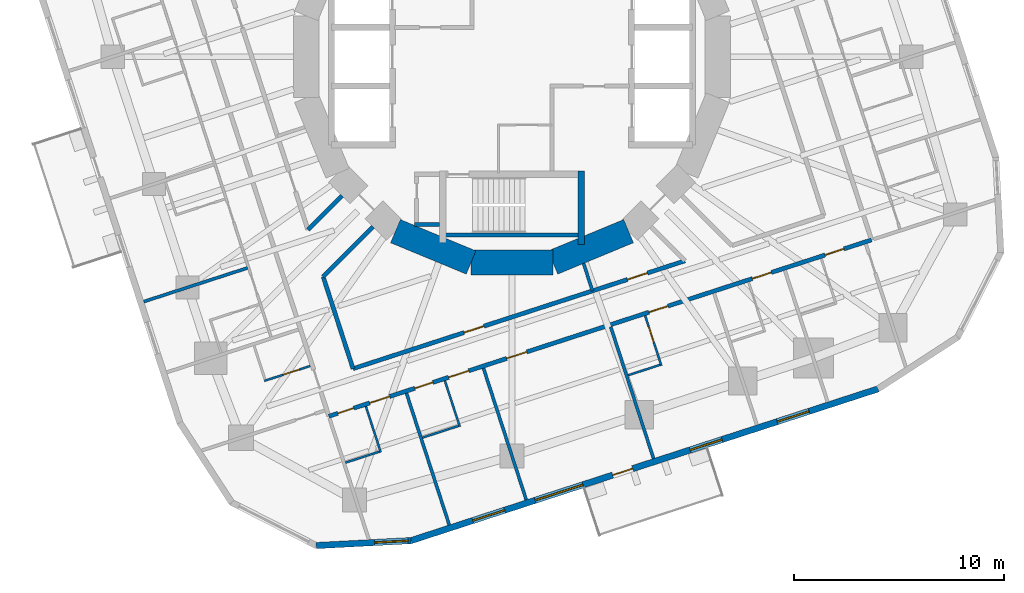
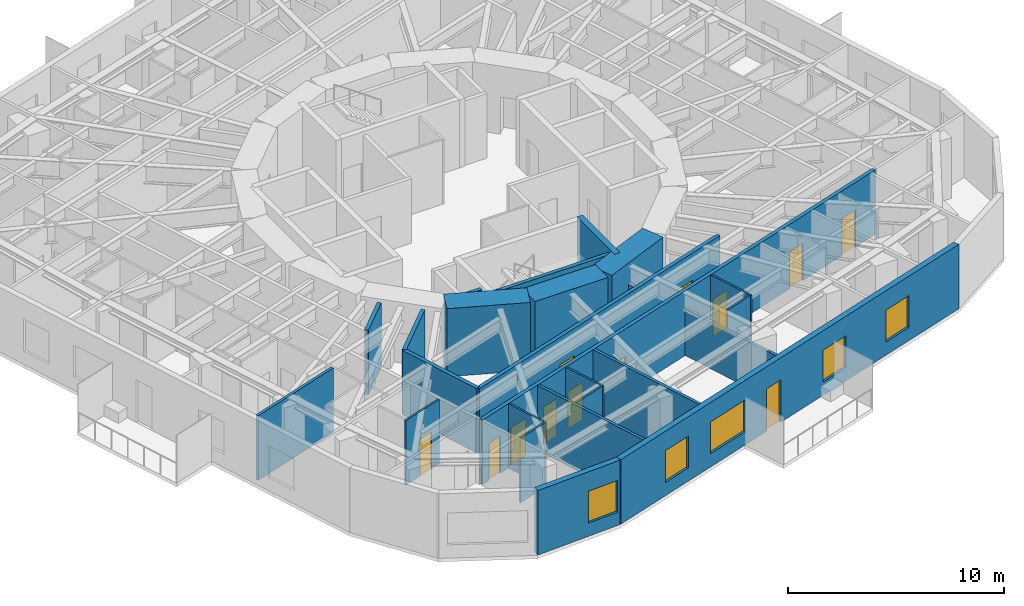
# One storey, part 4 of 12: 25 walls, 13 doors, 5 windows, 18 openings.
"""IFC4 building model written with IfcOpenShell, lengths in metres."""

import ifcopenshell
import ifcopenshell.guid

model = None  # the IFC model being written
_history = None  # IfcOwnerHistory: only IFC2X3 demands one
_inside = {}  # id of a spatial element -> (the spatial element, [elements in it])
_under = {}  # id of a project, library or spatial element -> (it, [spatial elements below it])
_declared = {}  # id of a project -> (the project, [libraries it declares])
_typed = {}  # id of a type object -> (the type object, [elements of that type])
_made_of = {}  # id of a material, layer set ... -> (it, [elements and type objects made of it])


def new_model(schema):
    """Start an empty IFC model of exactly this schema.

    Asked for "IFC4X3", IfcOpenShell would pick the latest addendum, in which some entities
    have other attributes; the version numbers below select the first issue.
    IFC2X3 requires an IfcOwnerHistory on every rooted entity: one is made here for all.
    """
    global model, _history
    if schema == "IFC4X3":
        model = ifcopenshell.file(schema_version=(4, 3, 0, 0))
    else:
        model = ifcopenshell.file(schema=schema)
    _inside.clear()
    _under.clear()
    _declared.clear()
    _typed.clear()
    _made_of.clear()
    _history = None
    if model.schema == "IFC2X3":
        org = make("IfcOrganization", Name="unknown")
        user = make(
            "IfcPersonAndOrganization",
            ThePerson=make("IfcPerson", FamilyName="unknown"),
            TheOrganization=org,
        )
        app = make(
            "IfcApplication",
            ApplicationDeveloper=org,
            Version="unknown",
            ApplicationFullName="unknown",
            ApplicationIdentifier="unknown",
        )
        _history = make(
            "IfcOwnerHistory",
            OwningUser=user,
            OwningApplication=app,
            ChangeAction="ADDED",
            CreationDate=0,
        )
    return model


def make(cls, **values):
    """One entity of the class cls with the attributes given. An attribute that is None is left unset."""
    return model.create_entity(
        cls, **{name: value for name, value in values.items() if value is not None}
    )


def rooted(cls, **values):
    """An entity with a GlobalId (a new one), such as an element, a storey or a relation."""
    return make(cls, GlobalId=ifcopenshell.guid.new(), OwnerHistory=_history, **values)


def si_unit(unit_type, name, prefix=None):
    """IfcSIUnit, for example si_unit("LENGTHUNIT", "METRE", prefix="MILLI")."""
    return make("IfcSIUnit", UnitType=unit_type, Prefix=prefix, Name=name)


def assignment(units):
    """IfcUnitAssignment: the units of a project."""
    return None if units is None else make("IfcUnitAssignment", Units=units)


def point(xyz):
    """IfcCartesianPoint."""
    return None if xyz is None else make("IfcCartesianPoint", Coordinates=xyz)


def direction(xyz):
    """IfcDirection."""
    return None if xyz is None else make("IfcDirection", DirectionRatios=xyz)


def frame(location, z_axis=None, x_axis=None):
    """IfcAxis2Placement3D, a coordinate frame: its origin and axes. An axis left out is left unset."""
    return make(
        "IfcAxis2Placement3D",
        Location=point(location),
        Axis=direction(z_axis),
        RefDirection=direction(x_axis),
    )


def frame_2d(location, x_axis=None):
    """IfcAxis2Placement2D, a coordinate frame in the plane: its origin and x axis."""
    return make(
        "IfcAxis2Placement2D", Location=point(location), RefDirection=direction(x_axis)
    )


def origin():
    """The frame at (0, 0, 0) with its axes left unset."""
    return frame((0.0, 0.0, 0.0))


def place(relative_to, where):
    """IfcLocalPlacement: puts the frame where relative to a parent placement (None: the world)."""
    return make(
        "IfcLocalPlacement", PlacementRelTo=relative_to, RelativePlacement=where
    )


def context(
    kind, dimensions, precision=None, world=None, true_north=None, identifier=None
):
    """IfcGeometricRepresentationContext, for example the 3D "Model" context."""
    return make(
        "IfcGeometricRepresentationContext",
        ContextIdentifier=identifier,
        ContextType=kind,
        CoordinateSpaceDimension=dimensions,
        Precision=precision,
        WorldCoordinateSystem=world,
        TrueNorth=true_north,
    )


def subcontext(parent, identifier, kind, view, scale=None):
    """IfcGeometricRepresentationSubContext, for example "Body" below "Model"."""
    return make(
        "IfcGeometricRepresentationSubContext",
        ContextIdentifier=identifier,
        ContextType=kind,
        ParentContext=parent,
        TargetScale=scale,
        TargetView=view,
    )


def project(units=None, contexts=None):
    """IfcProject with its units and contexts."""
    return rooted(
        "IfcProject",
        Name="project",
        RepresentationContexts=contexts,
        UnitsInContext=assignment(units),
    )


def spatial(cls, under=None, at=None, **own):
    """A site, building, storey or space (cls), placed at a placement, below another one or the project."""
    s = rooted(cls, ObjectPlacement=at, **own)
    if under is not None:
        _under.setdefault(under.id(), (under, []))[1].append(s)
    return s


def profile(cls, at=None, kind="AREA", **sizes):
    """A parametric profile (cls). Its sizes go by their IFC names, for example OverallWidth=200.0."""
    return make(cls, ProfileType=kind, Position=at, **sizes)


def rectangle(**sizes):
    """IfcRectangleProfileDef."""
    return profile("IfcRectangleProfileDef", **sizes)


def extrude(swept, where, along, depth):
    """IfcExtrudedAreaSolid: the profile swept, set in the frame where, extruded along a direction by depth."""
    return make(
        "IfcExtrudedAreaSolid",
        SweptArea=swept,
        Position=where,
        ExtrudedDirection=direction(along),
        Depth=depth,
    )


def shape(context_of_items, identifier, shape_type, items):
    """IfcShapeRepresentation: the items that make up one representation, for example the "Body"."""
    return make(
        "IfcShapeRepresentation",
        ContextOfItems=context_of_items,
        RepresentationIdentifier=identifier,
        RepresentationType=shape_type,
        Items=items,
    )


def material(Name=None, Category=None):
    """IfcMaterial."""
    return make("IfcMaterial", Name=Name, Category=Category)


def layer(
    of_material, thickness, ventilated=None, Name=None, Category=None, Priority=None
):
    """IfcMaterialLayer: one layer of a wall or slab, of a material (None: an air gap)."""
    return make(
        "IfcMaterialLayer",
        Material=of_material,
        LayerThickness=thickness,
        IsVentilated=ventilated,
        Name=Name,
        Category=Category,
        Priority=Priority,
    )


def layer_set(layers, Name=None):
    """IfcMaterialLayerSet."""
    return make("IfcMaterialLayerSet", MaterialLayers=layers, LayerSetName=Name)


def made_of(thing, what):
    """Note that an element or type object is made of a material, layer set ...; save() writes the relation."""
    if what is not None:
        _made_of.setdefault(what.id(), (what, []))[1].append(thing)
    return thing


def type_object(cls, material=None, **own):
    """A type object (cls), such as IfcWallType, which elements share."""
    return made_of(rooted(cls, **own), material)


def element(
    cls,
    number,
    at=None,
    inside=None,
    cuts=None,
    type_object=None,
    material=None,
    context=None,
    identifier="Body",
    shape_type=None,
    held_by="IfcProductDefinitionShape",
    body=None,
    shapes=None,
    **own,
):
    """One element of the class cls, such as IfcWall. Its Tag is "e" and its number.

    at: its placement. inside: the storey or other place that contains it. cuts: it is an
    opening in that element (IfcRelVoidsElement). A single representation is given by context,
    identifier, shape_type and body (its items); several are given by shapes. held_by: the class
    of the entity that holds the representations. save() writes the other relations.
    """
    e = rooted(cls, Tag="e%d" % number, ObjectPlacement=at, **own)
    if body is not None:
        shapes = [shape(context, identifier, shape_type, body)]
    if shapes is not None:
        e.Representation = make(held_by, Representations=shapes)
    if inside is not None:
        _inside.setdefault(inside.id(), (inside, []))[1].append(e)
    if cuts is not None:
        rooted(
            "IfcRelVoidsElement", RelatingBuildingElement=cuts, RelatedOpeningElement=e
        )
    if type_object is not None:
        _typed.setdefault(type_object.id(), (type_object, []))[1].append(e)
    return made_of(e, material)


def fill(opening, filler):
    """IfcRelFillsElement: the door or window that sits in an opening."""
    return rooted(
        "IfcRelFillsElement",
        RelatingOpeningElement=opening,
        RelatedBuildingElement=filler,
    )


def aggregate(whole, parts):
    """IfcRelAggregates: a whole, such as a stair, and the parts it consists of."""
    return rooted("IfcRelAggregates", RelatingObject=whole, RelatedObjects=parts)


def save(model, path):
    """Write the relations noted so far, then the file.

    IfcRelAggregates (storeys below a building ...), IfcRelContainedInSpatialStructure (elements
    in a storey), IfcRelDefinesByType, IfcRelAssociatesMaterial and IfcRelDeclares: one each for
    every whole, place, type object, material and project.
    """
    for whole, parts in _under.values():
        aggregate(whole, parts)
    for where, things in _inside.values():
        rooted(
            "IfcRelContainedInSpatialStructure",
            RelatedElements=things,
            RelatingStructure=where,
        )
    for kind, things in _typed.values():
        rooted("IfcRelDefinesByType", RelatedObjects=things, RelatingType=kind)
    for what, things in _made_of.values():
        rooted("IfcRelAssociatesMaterial", RelatedObjects=things, RelatingMaterial=what)
    for by, libraries in _declared.values():
        rooted("IfcRelDeclares", RelatingContext=by, RelatedDefinitions=libraries)
    model.write(path)


model = new_model("IFC4")

# Units and contexts
model_context = context("Model", 3, precision=1e-05, world=origin(), true_north=direction((0.0, 1.0)))
body_context = subcontext(model_context, "Body", "Model", "MODEL_VIEW")
ifc_project = project(units=[si_unit("LENGTHUNIT", "METRE"), si_unit("AREAUNIT", "SQUARE_METRE"), si_unit("VOLUMEUNIT", "CUBIC_METRE"), si_unit("PLANEANGLEUNIT", "RADIAN"), si_unit("MASSUNIT", "GRAM", prefix="KILO")], contexts=[model_context])

# Site, building, storey
site_placement = place(None, origin())
site = spatial("IfcSite", under=ifc_project, at=site_placement, CompositionType="ELEMENT")
building_placement = place(site_placement, origin())
building = spatial("IfcBuilding", under=site, at=building_placement, Name="Nakasero Lantern House", CompositionType="ELEMENT")
storey_placement = place(building_placement, frame((0.0, 0.0, 172.60009765625)))
storey = spatial("IfcBuildingStorey", under=building, at=storey_placement, Name="L42", CompositionType="ELEMENT", Elevation=172.60009765625)

# Walls
ifc_material_1 = material(Name="Concrete C50/60", Category="concrete")
ifc_layer_1 = layer(ifc_material_1, 0.300048828125)
ifc_layer_set_1 = layer_set([ifc_layer_1], Name="Core inner wall 300")
wall_type_1 = type_object("IfcWallType", Name="Core inner wall 300", PredefinedType="SHEAR", material=ifc_layer_set_1)
wall_1_placement = place(storey_placement, frame((3.300048828125, -5.449951171875, 0.0), z_axis=(0.0, 0.0, 1.0), x_axis=(0.0, -1.0, 0.0)))
element("IfcWall", 1, at=wall_1_placement, inside=storey, type_object=wall_type_1, Name="Core inner wall L42 SSE", PredefinedType="SHEAR", context=body_context, shape_type="SweptSolid", body=[
    extrude(rectangle(XDim=3.5, YDim=0.300048828125, at=frame_2d((1.75, 0.0))), origin(), (0.0, 0.0, 1.0), 3.849853515625),
])
ifc_material_2 = material(Name="Concrete C50/60", Category="concrete")
ifc_layer_2 = layer(ifc_material_2, 1.199951171875)
ifc_layer_set_2 = layer_set([ifc_layer_2], Name="Core wall 1200")
wall_type_2 = type_object("IfcWallType", Name="Core wall 1200", PredefinedType="SHEAR", material=ifc_layer_set_2)
for number, where, z_axis, x_axis, name in (
    (2, (-5.5556640625, -8.314697265625, 0.0), (0.0, 0.0, 1.0), (0.923876507187, -0.382690736062, 0.0), "Core wall L42 facet 11"),
    (3, (-1.950927734375, -9.807861328125, 0.0), (0.0, 0.0, 1.0), (1.0, 0.0, 0.0), "Core wall L42 facet 12"),
    (4, (1.950927734375, -9.807861328125, 0.0), (0.0, 0.0, 1.0), (0.923876507187, 0.382690736062, 0.0), "Core wall L42 facet 13"),
):
    element("IfcWall", number, at=place(storey_placement, frame(where, z_axis=z_axis, x_axis=x_axis)), inside=storey, type_object=wall_type_2, Name=name, PredefinedType="SHEAR", context=body_context, shape_type="SweptSolid", body=[
        extrude(rectangle(XDim=3.90185546875, YDim=1.199951171875, at=frame_2d((1.950927734375, 0.0))), origin(), (0.0, 0.0, 1.0), 3.849853515625),
    ])

# Wall, openings, doors
ifc_material_3 = material(Name="Blockwork", Category="masonry")
ifc_layer_3 = layer(ifc_material_3, 0.199951171875)
ifc_layer_set_3 = layer_set([ifc_layer_3], Name="Corridor wall 200")
wall_type_3 = type_object("IfcWallType", Name="Corridor wall 200", PredefinedType="PARTITIONING", material=ifc_layer_set_3)
wall_2_placement = place(storey_placement, frame((-8.731689453125, -17.136962890625, 0.0), z_axis=(0.0, 0.0, 1.0), x_axis=(0.951056097323, 0.309018283835, 0.0)))
wall_2 = element("IfcWall", 5, at=wall_2_placement, inside=storey, type_object=wall_type_3, Name="Corridor wall L42 CW3", PredefinedType="PARTITIONING", context=body_context, shape_type="SweptSolid", body=[
    extrude(rectangle(XDim=27.199951171875, YDim=0.199951171875, at=frame_2d((13.60009765625, 0.0))), origin(), (0.0, 0.0, 1.0), 3.64990234375),
])
opening_1_placement = place(wall_2_placement, frame((0.449951171875, 0.0, 0.0)))
opening_1 = element("IfcOpeningElement", 6, at=opening_1_placement, cuts=wall_2, Name="Opening D15", PredefinedType="OPENING", context=body_context, shape_type="SweptSolid", body=[
    extrude(rectangle(XDim=0.800048828125, YDim=2.10009765625, at=frame_2d((0.39990234375, 1.050048828125))), frame((0.0, 0.119873046875, 0.0), z_axis=(0.0, -1.0, 0.0), x_axis=(1.0, 0.0, 0.0)), (0.0, 0.0, 1.0), 0.239990234375),
])
opening_2_placement = place(wall_2_placement, frame((2.050048828125, 0.0, 0.0)))
opening_2 = element("IfcOpeningElement", 7, at=opening_2_placement, cuts=wall_2, Name="Opening D07", PredefinedType="OPENING", context=body_context, shape_type="SweptSolid", body=[
    extrude(rectangle(XDim=1.0, YDim=2.10009765625, at=frame_2d((0.5, 1.050048828125))), frame((0.0, 0.119873046875, 0.0), z_axis=(0.0, -1.0, 0.0), x_axis=(1.0, 0.0, 0.0)), (0.0, 0.0, 1.0), 0.239990234375),
])
opening_3_placement = place(wall_2_placement, frame((4.3095703125, 0.0, 0.0)))
opening_3 = element("IfcOpeningElement", 8, at=opening_3_placement, cuts=wall_2, Name="Opening D16", PredefinedType="OPENING", context=body_context, shape_type="SweptSolid", body=[
    extrude(rectangle(XDim=0.89990234375, YDim=2.10009765625, at=frame_2d((0.449951171875, 1.050048828125))), frame((0.0, 0.119873046875, 0.0), z_axis=(0.0, -1.0, 0.0), x_axis=(1.0, 0.0, 0.0)), (0.0, 0.0, 1.0), 0.239990234375),
])
opening_4_placement = place(wall_2_placement, frame((6.009521484375, 0.0, 0.0)))
opening_4 = element("IfcOpeningElement", 9, at=opening_4_placement, cuts=wall_2, Name="Opening D07", PredefinedType="OPENING", context=body_context, shape_type="SweptSolid", body=[
    extrude(rectangle(XDim=1.0, YDim=2.10009765625, at=frame_2d((0.5, 1.050048828125))), frame((0.0, 0.119873046875, 0.0), z_axis=(0.0, -1.0, 0.0), x_axis=(1.0, 0.0, 0.0)), (0.0, 0.0, 1.0), 0.239990234375),
])
opening_5_placement = place(wall_2_placement, frame((16.047119140625, 0.0, 0.0)))
opening_5 = element("IfcOpeningElement", 10, at=opening_5_placement, cuts=wall_2, Name="Opening D01", PredefinedType="OPENING", context=body_context, shape_type="SweptSolid", body=[
    extrude(rectangle(XDim=0.949951171875, YDim=2.10009765625, at=frame_2d((0.47509765625, 1.050048828125))), frame((0.0, 0.119873046875, 0.0), z_axis=(0.0, -1.0, 0.0), x_axis=(1.0, 0.0, 0.0)), (0.0, 0.0, 1.0), 0.239990234375),
])
opening_6_placement = place(wall_2_placement, frame((21.22802734375, 0.0, 0.0)))
opening_6 = element("IfcOpeningElement", 11, at=opening_6_placement, cuts=wall_2, Name="Opening D01", PredefinedType="OPENING", context=body_context, shape_type="SweptSolid", body=[
    extrude(rectangle(XDim=0.949951171875, YDim=2.10009765625, at=frame_2d((0.47509765625, 1.050048828125))), frame((0.0, 0.119873046875, 0.0), z_axis=(0.0, -1.0, 0.0), x_axis=(1.0, 0.0, 0.0)), (0.0, 0.0, 1.0), 0.239990234375),
])
opening_7_placement = place(wall_2_placement, frame((24.872314453125, 0.0, 0.0)))
opening_7 = element("IfcOpeningElement", 12, at=opening_7_placement, cuts=wall_2, Name="Opening D01", PredefinedType="OPENING", context=body_context, shape_type="SweptSolid", body=[
    extrude(rectangle(XDim=0.949951171875, YDim=2.10009765625, at=frame_2d((0.47509765625, 1.050048828125))), frame((0.0, 0.119873046875, 0.0), z_axis=(0.0, -1.0, 0.0), x_axis=(1.0, 0.0, 0.0)), (0.0, 0.0, 1.0), 0.239990234375),
])
opening_8_placement = place(wall_2_placement, frame((8.9189453125, 0.0, 0.0)))
opening_8 = element("IfcOpeningElement", 13, at=opening_8_placement, cuts=wall_2, Name="Opening D03", PredefinedType="OPENING", context=body_context, shape_type="SweptSolid", body=[
    extrude(rectangle(XDim=1.0, YDim=2.10009765625, at=frame_2d((0.5, 1.050048828125))), frame((0.0, 0.119873046875, 0.0), z_axis=(0.0, -1.0, 0.0), x_axis=(1.0, 0.0, 0.0)), (0.0, 0.0, 1.0), 0.239990234375),
])
ifc_material_4 = material(Name="Timber C24", Category="wood")
door_type_1 = type_object("IfcDoorType", Name="Accessible WC door 900", OperationType="SINGLE_SWING_RIGHT", PredefinedType="DOOR", material=ifc_material_4)
door_1_placement = place(opening_3_placement, origin())
door_1 = element("IfcDoor", 14, at=door_1_placement, inside=storey, type_object=door_type_1, Name="Door L42 DS3-01", OperationType="SINGLE_SWING_LEFT", OverallHeight=2.10009765625, OverallWidth=0.89990234375, PredefinedType="DOOR", context=body_context, shape_type="SweptSolid", body=[
    extrude(rectangle(XDim=0.89990234375, YDim=2.10009765625, at=frame_2d((0.449951171875, 1.050048828125))), frame((0.0, 0.02490234375, 0.0), z_axis=(0.0, -1.0, 0.0), x_axis=(1.0, 0.0, 0.0)), (0.0, 0.0, 1.0), 0.050048828125),
])
fill(opening_3, door_1)
ifc_material_5 = material(Name="Timber C24", Category="wood")
door_type_2 = type_object("IfcDoorType", Name="Bedroom door FD30S 950", OperationType="SINGLE_SWING_LEFT", PredefinedType="DOOR", material=ifc_material_5)
door_2_placement = place(opening_5_placement, origin())
door_2 = element("IfcDoor", 15, at=door_2_placement, inside=storey, type_object=door_type_2, Name="Door L42 D3-04", OperationType="SINGLE_SWING_RIGHT", OverallHeight=2.10009765625, OverallWidth=0.949951171875, PredefinedType="DOOR", context=body_context, shape_type="SweptSolid", body=[
    extrude(rectangle(XDim=0.949951171875, YDim=2.10009765625, at=frame_2d((0.47509765625, 1.050048828125))), frame((0.0, 0.02490234375, 0.0), z_axis=(0.0, -1.0, 0.0), x_axis=(1.0, 0.0, 0.0)), (0.0, 0.0, 1.0), 0.050048828125),
])
fill(opening_5, door_2)
door_3_placement = place(opening_6_placement, origin())
door_3 = element("IfcDoor", 16, at=door_3_placement, inside=storey, type_object=door_type_2, Name="Door L42 D3-05", OperationType="SINGLE_SWING_RIGHT", OverallHeight=2.10009765625, OverallWidth=0.949951171875, PredefinedType="DOOR", context=body_context, shape_type="SweptSolid", body=[
    extrude(rectangle(XDim=0.949951171875, YDim=2.10009765625, at=frame_2d((0.47509765625, 1.050048828125))), frame((0.0, 0.02490234375, 0.0), z_axis=(0.0, -1.0, 0.0), x_axis=(1.0, 0.0, 0.0)), (0.0, 0.0, 1.0), 0.050048828125),
])
fill(opening_6, door_3)
door_4_placement = place(opening_7_placement, origin())
door_4 = element("IfcDoor", 17, at=door_4_placement, inside=storey, type_object=door_type_2, Name="Door L42 D3-06", OperationType="SINGLE_SWING_RIGHT", OverallHeight=2.10009765625, OverallWidth=0.949951171875, PredefinedType="DOOR", context=body_context, shape_type="SweptSolid", body=[
    extrude(rectangle(XDim=0.949951171875, YDim=2.10009765625, at=frame_2d((0.47509765625, 1.050048828125))), frame((0.0, 0.02490234375, 0.0), z_axis=(0.0, -1.0, 0.0), x_axis=(1.0, 0.0, 0.0)), (0.0, 0.0, 1.0), 0.050048828125),
])
fill(opening_7, door_4)
ifc_material_6 = material(Name="Timber C24", Category="wood")
door_type_3 = type_object("IfcDoorType", Name="Cleaner's store door FD30S 800", OperationType="SINGLE_SWING_LEFT", PredefinedType="DOOR", material=ifc_material_6)
door_5_placement = place(opening_1_placement, origin())
door_5 = element("IfcDoor", 18, at=door_5_placement, inside=storey, type_object=door_type_3, Name="Door L42 DS3-00", OperationType="SINGLE_SWING_LEFT", OverallHeight=2.10009765625, OverallWidth=0.800048828125, PredefinedType="DOOR", context=body_context, shape_type="SweptSolid", body=[
    extrude(rectangle(XDim=0.800048828125, YDim=2.10009765625, at=frame_2d((0.39990234375, 1.050048828125))), frame((0.0, 0.02490234375, 0.0), z_axis=(0.0, -1.0, 0.0), x_axis=(1.0, 0.0, 0.0)), (0.0, 0.0, 1.0), 0.050048828125),
])
fill(opening_1, door_5)
ifc_material_7 = material(Name="Timber C24", Category="wood")
door_type_4 = type_object("IfcDoorType", Name="Lounge door FD30S 1000", OperationType="SINGLE_SWING_LEFT", PredefinedType="DOOR", material=ifc_material_7)
door_6_placement = place(opening_8_placement, origin())
door_6 = element("IfcDoor", 19, at=door_6_placement, inside=storey, type_object=door_type_4, Name="Door L42 DK3", OperationType="SINGLE_SWING_LEFT", OverallHeight=2.10009765625, OverallWidth=1.0, PredefinedType="DOOR", context=body_context, shape_type="SweptSolid", body=[
    extrude(rectangle(XDim=1.0, YDim=2.10009765625, at=frame_2d((0.5, 1.050048828125))), frame((0.0, 0.02490234375, 0.0), z_axis=(0.0, -1.0, 0.0), x_axis=(1.0, 0.0, 0.0)), (0.0, 0.0, 1.0), 0.050048828125),
])
fill(opening_8, door_6)
ifc_material_8 = material(Name="Timber C24", Category="wood")
door_type_5 = type_object("IfcDoorType", Name="Room door FD30S 1000", OperationType="SINGLE_SWING_LEFT", PredefinedType="DOOR", material=ifc_material_8)
door_7_placement = place(opening_2_placement, origin())
door_7 = element("IfcDoor", 20, at=door_7_placement, inside=storey, type_object=door_type_5, Name="Door L42 D3-00", OperationType="SINGLE_SWING_LEFT", OverallHeight=2.10009765625, OverallWidth=1.0, PredefinedType="DOOR", context=body_context, shape_type="SweptSolid", body=[
    extrude(rectangle(XDim=1.0, YDim=2.10009765625, at=frame_2d((0.5, 1.050048828125))), frame((0.0, 0.02490234375, 0.0), z_axis=(0.0, -1.0, 0.0), x_axis=(1.0, 0.0, 0.0)), (0.0, 0.0, 1.0), 0.050048828125),
])
fill(opening_2, door_7)
door_8_placement = place(opening_4_placement, origin())
door_8 = element("IfcDoor", 21, at=door_8_placement, inside=storey, type_object=door_type_5, Name="Door L42 D3-01", OperationType="SINGLE_SWING_LEFT", OverallHeight=2.10009765625, OverallWidth=1.0, PredefinedType="DOOR", context=body_context, shape_type="SweptSolid", body=[
    extrude(rectangle(XDim=1.0, YDim=2.10009765625, at=frame_2d((0.5, 1.050048828125))), frame((0.0, 0.02490234375, 0.0), z_axis=(0.0, -1.0, 0.0), x_axis=(1.0, 0.0, 0.0)), (0.0, 0.0, 1.0), 0.050048828125),
])
fill(opening_4, door_8)

# Wall
wall_3_placement = place(storey_placement, frame((-9.00048828125, -10.4853515625, 0.0), z_axis=(0.0, 0.0, 1.0), x_axis=(0.309020197406, -0.951055475561, 0.0)))
element("IfcWall", 22, at=wall_3_placement, inside=storey, type_object=wall_type_3, Name="Corridor wall L42 IW2-1", PredefinedType="PARTITIONING", context=body_context, shape_type="SweptSolid", body=[
    extrude(rectangle(XDim=4.609130859375, YDim=0.199951171875, at=frame_2d((2.3046875, 0.0))), origin(), (0.0, 0.0, 1.0), 3.64990234375),
])

# Wall, openings, doors
wall_4_placement = place(storey_placement, frame((-7.576171875, -14.868896484375, 0.0), z_axis=(0.0, 0.0, 1.0), x_axis=(0.951057148125, 0.309015049795, 0.0)))
wall_4 = element("IfcWall", 23, at=wall_4_placement, inside=storey, type_object=wall_type_3, Name="Corridor wall L42 IW3-0", PredefinedType="PARTITIONING", context=body_context, shape_type="SweptSolid", body=[
    extrude(rectangle(XDim=16.634033203125, YDim=0.199951171875, at=frame_2d((8.31689453125, 0.0))), origin(), (0.0, 0.0, 1.0), 3.64990234375),
])
opening_9_placement = place(wall_4_placement, frame((5.5625, 0.0, 0.0)))
opening_9 = element("IfcOpeningElement", 24, at=opening_9_placement, cuts=wall_4, Name="Opening D07", PredefinedType="OPENING", context=body_context, shape_type="SweptSolid", body=[
    extrude(rectangle(XDim=1.0, YDim=2.10009765625, at=frame_2d((0.5, 1.050048828125))), frame((0.0, 0.119873046875, 0.0), z_axis=(0.0, -1.0, 0.0), x_axis=(1.0, 0.0, 0.0)), (0.0, 0.0, 1.0), 0.239990234375),
])
opening_10_placement = place(wall_4_placement, frame((13.75439453125, 0.0, 0.0)))
opening_10 = element("IfcOpeningElement", 25, at=opening_10_placement, cuts=wall_4, Name="Opening D07", PredefinedType="OPENING", context=body_context, shape_type="SweptSolid", body=[
    extrude(rectangle(XDim=1.0, YDim=2.10009765625, at=frame_2d((0.5, 1.050048828125))), frame((0.0, 0.119873046875, 0.0), z_axis=(0.0, -1.0, 0.0), x_axis=(1.0, 0.0, 0.0)), (0.0, 0.0, 1.0), 0.239990234375),
])
door_9_placement = place(opening_9_placement, origin())
door_9 = element("IfcDoor", 26, at=door_9_placement, inside=storey, type_object=door_type_5, Name="Door L42 DI2", OperationType="SINGLE_SWING_LEFT", OverallHeight=2.10009765625, OverallWidth=1.0, PredefinedType="DOOR", context=body_context, shape_type="SweptSolid", body=[
    extrude(rectangle(XDim=1.0, YDim=2.10009765625, at=frame_2d((0.5, 1.050048828125))), frame((0.0, 0.02490234375, 0.0), z_axis=(0.0, -1.0, 0.0), x_axis=(1.0, 0.0, 0.0)), (0.0, 0.0, 1.0), 0.050048828125),
])
fill(opening_9, door_9)
door_10_placement = place(opening_10_placement, origin())
door_10 = element("IfcDoor", 27, at=door_10_placement, inside=storey, type_object=door_type_5, Name="Door L42 DI3", OperationType="SINGLE_SWING_RIGHT", OverallHeight=2.10009765625, OverallWidth=1.0, PredefinedType="DOOR", context=body_context, shape_type="SweptSolid", body=[
    extrude(rectangle(XDim=1.0, YDim=2.10009765625, at=frame_2d((0.5, 1.050048828125))), frame((0.0, 0.02490234375, 0.0), z_axis=(0.0, -1.0, 0.0), x_axis=(1.0, 0.0, 0.0)), (0.0, 0.0, 1.0), 0.050048828125),
])
fill(opening_10, door_10)

# Walls
wall_5_placement = place(storey_placement, frame((-6.616943359375, -8.101806640625, 0.0), z_axis=(0.0, 0.0, 1.0), x_axis=(-0.707106781187, -0.707106781187, 0.0)))
element("IfcWall", 28, at=wall_5_placement, inside=storey, type_object=wall_type_3, Name="Corridor wall L42 PS10a", PredefinedType="PARTITIONING", context=body_context, shape_type="SweptSolid", body=[
    extrude(rectangle(XDim=3.370849609375, YDim=0.199951171875, at=frame_2d((1.685546875, 0.0))), origin(), (0.0, 0.0, 1.0), 3.64990234375),
])
wall_6_placement = place(storey_placement, frame((-8.101806640625, -6.616943359375, 0.0), z_axis=(0.0, 0.0, 1.0), x_axis=(-0.707159837407, -0.707053720985, 0.0)))
element("IfcWall", 29, at=wall_6_placement, inside=storey, type_object=wall_type_3, Name="Corridor wall L42 PS10b", PredefinedType="PARTITIONING", context=body_context, shape_type="SweptSolid", body=[
    extrude(rectangle(XDim=2.30078125, YDim=0.199951171875, at=frame_2d((1.150390625, 0.0))), origin(), (0.0, 0.0, 1.0), 3.64990234375),
])

# Wall, opening, door
ifc_material_9 = material(Name="Blockwork", Category="masonry")
ifc_layer_4 = layer(ifc_material_9, 0.10009765625)
ifc_layer_set_4 = layer_set([ifc_layer_4], Name="En-suite wall 100")
wall_type_4 = type_object("IfcWallType", Name="En-suite wall 100", PredefinedType="PARTITIONING", material=ifc_layer_set_4)
wall_7_placement = place(storey_placement, frame((-9.61572265625, -14.740234375, 0.0), z_axis=(0.0, 0.0, 1.0), x_axis=(-0.951055129775, -0.309021261611, 0.0)))
wall_7 = element("IfcWall", 30, at=wall_7_placement, inside=storey, type_object=wall_type_4, Name="En-suite wall L42 ES2-06", PredefinedType="PARTITIONING", context=body_context, shape_type="SweptSolid", body=[
    extrude(rectangle(XDim=2.2998046875, YDim=0.10009765625, at=frame_2d((1.14990234375, 0.0))), origin(), (0.0, 0.0, 1.0), 3.64990234375),
])
opening_11_placement = place(wall_7_placement, frame((0.550048828125, 0.0, 0.0)))
opening_11 = element("IfcOpeningElement", 31, at=opening_11_placement, cuts=wall_7, Name="Opening D02", PredefinedType="OPENING", context=body_context, shape_type="SweptSolid", body=[
    extrude(rectangle(XDim=0.800048828125, YDim=2.10009765625, at=frame_2d((0.39990234375, 1.050048828125))), frame((0.0, 0.070068359375, 0.0), z_axis=(0.0, -1.0, 0.0), x_axis=(1.0, 0.0, 0.0)), (0.0, 0.0, 1.0), 0.14013671875),
])
ifc_material_10 = material(Name="Timber C24", Category="wood")
door_type_6 = type_object("IfcDoorType", Name="En-suite door 800", OperationType="SINGLE_SWING_RIGHT", PredefinedType="DOOR", material=ifc_material_10)
door_11_placement = place(opening_11_placement, origin())
door_11 = element("IfcDoor", 32, at=door_11_placement, inside=storey, type_object=door_type_6, Name="Door L42 DE2-06", OperationType="SINGLE_SWING_LEFT", OverallHeight=2.10009765625, OverallWidth=0.800048828125, PredefinedType="DOOR", context=body_context, shape_type="SweptSolid", body=[
    extrude(rectangle(XDim=0.800048828125, YDim=2.10009765625, at=frame_2d((0.39990234375, 1.050048828125))), frame((0.0, 0.02490234375, 0.0), z_axis=(0.0, -1.0, 0.0), x_axis=(1.0, 0.0, 0.0)), (0.0, 0.0, 1.0), 0.050048828125),
])
fill(opening_11, door_11)

# Walls
wall_8_placement = place(storey_placement, frame((-6.965087890625, -16.668212890625, 0.0), z_axis=(0.0, 0.0, 1.0), x_axis=(0.309021261611, -0.951055129775, 0.0)))
element("IfcWall", 33, at=wall_8_placement, inside=storey, type_object=wall_type_4, Name="En-suite wall L42 ES3-00", PredefinedType="PARTITIONING", context=body_context, shape_type="SweptSolid", body=[
    extrude(rectangle(XDim=2.2998046875, YDim=0.10009765625, at=frame_2d((1.14990234375, 0.0))), origin(), (0.0, 0.0, 1.0), 3.64990234375),
])
wall_9_placement = place(storey_placement, frame((-7.934326171875, -19.348876953125, 0.0), z_axis=(0.0, 0.0, 1.0), x_axis=(0.951054116971, 0.309024378638, 0.0)))
element("IfcWall", 34, at=wall_9_placement, inside=storey, type_object=wall_type_4, Name="En-suite wall L42 EE3-00", PredefinedType="PARTITIONING", context=body_context, shape_type="SweptSolid", body=[
    extrude(rectangle(XDim=1.7001953125, YDim=0.10009765625, at=frame_2d((0.85009765625, 0.0))), origin(), (0.0, 0.0, 1.0), 3.64990234375),
])
wall_10_placement = place(storey_placement, frame((-3.199462890625, -15.444580078125, 0.0), z_axis=(0.0, 0.0, 1.0), x_axis=(0.308990065628, -0.951065265554, 0.0)))
element("IfcWall", 35, at=wall_10_placement, inside=storey, type_object=wall_type_4, Name="En-suite wall L42 ES3-01", PredefinedType="PARTITIONING", context=body_context, shape_type="SweptSolid", body=[
    extrude(rectangle(XDim=2.300048828125, YDim=0.10009765625, at=frame_2d((1.14990234375, 0.0))), origin(), (0.0, 0.0, 1.0), 3.64990234375),
])
wall_11_placement = place(storey_placement, frame((-4.263671875, -18.15625, 0.0), z_axis=(0.0, 0.0, 1.0), x_axis=(0.951030081821, 0.309098339485, 0.0)))
element("IfcWall", 36, at=wall_11_placement, inside=storey, type_object=wall_type_4, Name="En-suite wall L42 EE3-01", PredefinedType="PARTITIONING", context=body_context, shape_type="SweptSolid", body=[
    extrude(rectangle(XDim=1.800048828125, YDim=0.10009765625, at=frame_2d((0.89990234375, 0.0))), origin(), (0.0, 0.0, 1.0), 3.64990234375),
])

# Wall, opening, door
wall_12_placement = place(storey_placement, frame((6.346923828125, -12.3427734375, 0.0), z_axis=(0.0, 0.0, 1.0), x_axis=(0.308982287281, -0.951067792613, 0.0)))
wall_12 = element("IfcWall", 37, at=wall_12_placement, inside=storey, type_object=wall_type_4, Name="En-suite wall L42 ES3-04", PredefinedType="PARTITIONING", context=body_context, shape_type="SweptSolid", body=[
    extrude(rectangle(XDim=2.5, YDim=0.10009765625, at=frame_2d((1.25, 0.0))), origin(), (0.0, 0.0, 1.0), 3.64990234375),
])
opening_12_placement = place(wall_12_placement, frame((0.550048828125, 0.0, 0.0)))
opening_12 = element("IfcOpeningElement", 38, at=opening_12_placement, cuts=wall_12, Name="Opening D02", PredefinedType="OPENING", context=body_context, shape_type="SweptSolid", body=[
    extrude(rectangle(XDim=0.800048828125, YDim=2.10009765625, at=frame_2d((0.39990234375, 1.050048828125))), frame((0.0, 0.070068359375, 0.0), z_axis=(0.0, -1.0, 0.0), x_axis=(1.0, 0.0, 0.0)), (0.0, 0.0, 1.0), 0.14013671875),
])
door_12_placement = place(opening_12_placement, origin())
door_12 = element("IfcDoor", 39, at=door_12_placement, inside=storey, type_object=door_type_6, Name="Door L42 DE3-04", OperationType="SINGLE_SWING_LEFT", OverallHeight=2.10009765625, OverallWidth=0.800048828125, PredefinedType="DOOR", context=body_context, shape_type="SweptSolid", body=[
    extrude(rectangle(XDim=0.800048828125, YDim=2.10009765625, at=frame_2d((0.39990234375, 1.050048828125))), frame((0.0, 0.02490234375, 0.0), z_axis=(0.0, -1.0, 0.0), x_axis=(1.0, 0.0, 0.0)), (0.0, 0.0, 1.0), 0.050048828125),
])
fill(opening_12, door_12)

# Wall
wall_13_placement = place(storey_placement, frame((5.53466796875, -15.182861328125, 0.0), z_axis=(0.0, 0.0, 1.0), x_axis=(0.951021734043, 0.309124022649, 0.0)))
element("IfcWall", 40, at=wall_13_placement, inside=storey, type_object=wall_type_4, Name="En-suite wall L42 EE3-04", PredefinedType="PARTITIONING", context=body_context, shape_type="SweptSolid", body=[
    extrude(rectangle(XDim=1.60009765625, YDim=0.10009765625, at=frame_2d((0.800048828125, 0.0))), origin(), (0.0, 0.0, 1.0), 3.64990234375),
])

# Wall, opening, window
ifc_material_11 = material(Name="Aluminium rainscreen on blockwork", Category="masonry")
ifc_layer_5 = layer(ifc_material_11, 0.300048828125)
ifc_layer_set_5 = layer_set([ifc_layer_5], Name="Facade wall 300")
wall_type_5 = type_object("IfcWallType", Name="Facade wall 300", PredefinedType="SOLIDWALL", material=ifc_layer_set_5)
wall_14_placement = place(storey_placement, frame((-9.3310546875, -23.3017578125, 0.0), z_axis=(0.0, 0.0, 1.0), x_axis=(0.998629419044, 0.052338164079, 0.0)))
wall_14 = element("IfcWall", 41, at=wall_14_placement, inside=storey, type_object=wall_type_5, Name="Facade wall L42 FW2C3", PredefinedType="SOLIDWALL", context=body_context, shape_type="SweptSolid", body=[
    extrude(rectangle(XDim=4.529296875, YDim=0.300048828125, at=frame_2d((2.2646484375, 0.0))), origin(), (0.0, 0.0, 1.0), 3.64990234375),
])
opening_13_placement = place(wall_14_placement, frame((2.784912109375, 0.0, 0.75)))
opening_13 = element("IfcOpeningElement", 42, at=opening_13_placement, cuts=wall_14, Name="Opening W01", PredefinedType="OPENING", context=body_context, shape_type="SweptSolid", body=[
    extrude(rectangle(XDim=1.60009765625, YDim=1.800048828125, at=frame_2d((0.800048828125, 0.89990234375))), frame((0.0, 0.169921875, 0.0), z_axis=(0.0, -1.0, 0.0), x_axis=(1.0, 0.0, 0.0)), (0.0, 0.0, 1.0), 0.340087890625),
])
ifc_material_12 = material(Name="Aluminium 6063-T6 and glass", Category="aluminium")
window_type_1 = type_object("IfcWindowType", Name="Bedroom window 1600x1800", PartitioningType="SINGLE_PANEL", PredefinedType="WINDOW", material=ifc_material_12)
window_1_placement = place(opening_13_placement, origin())
window_1 = element("IfcWindow", 43, at=window_1_placement, inside=storey, type_object=window_type_1, Name="Window L42 WN3-00", OverallHeight=1.800048828125, OverallWidth=1.60009765625, PartitioningType="SINGLE_PANEL", PredefinedType="WINDOW", context=body_context, shape_type="SweptSolid", body=[
    extrude(rectangle(XDim=1.60009765625, YDim=1.800048828125, at=frame_2d((0.800048828125, 0.89990234375))), frame((0.0, 0.030029296875, 0.0), z_axis=(0.0, -1.0, 0.0), x_axis=(1.0, 0.0, 0.0)), (0.0, 0.0, 1.0), 0.06005859375),
])
fill(opening_13, window_1)

# Wall, openings, door, windows
wall_15_placement = place(storey_placement, frame((-4.807861328125, -23.064697265625, 0.0), z_axis=(0.0, 0.0, 1.0), x_axis=(0.951053618334, 0.30902591324, 0.0)))
wall_15 = element("IfcWall", 44, at=wall_15_placement, inside=storey, type_object=wall_type_5, Name="Facade wall L42 FW3S", PredefinedType="SOLIDWALL", context=body_context, shape_type="SweptSolid", body=[
    extrude(rectangle(XDim=23.39990234375, YDim=0.300048828125, at=frame_2d((11.699951171875, 0.0))), origin(), (0.0, 0.0, 1.0), 3.64990234375),
])
opening_14_placement = place(wall_15_placement, frame((3.089111328125, 0.0, 0.75)))
opening_14 = element("IfcOpeningElement", 45, at=opening_14_placement, cuts=wall_15, Name="Opening W01", PredefinedType="OPENING", context=body_context, shape_type="SweptSolid", body=[
    extrude(rectangle(XDim=1.60009765625, YDim=1.800048828125, at=frame_2d((0.800048828125, 0.89990234375))), frame((0.0, 0.169921875, 0.0), z_axis=(0.0, -1.0, 0.0), x_axis=(1.0, 0.0, 0.0)), (0.0, 0.0, 1.0), 0.340087890625),
])
opening_15_placement = place(wall_15_placement, frame((13.987548828125, 0.0, 0.75)))
opening_15 = element("IfcOpeningElement", 46, at=opening_15_placement, cuts=wall_15, Name="Opening W01", PredefinedType="OPENING", context=body_context, shape_type="SweptSolid", body=[
    extrude(rectangle(XDim=1.60009765625, YDim=1.800048828125, at=frame_2d((0.800048828125, 0.89990234375))), frame((0.0, 0.169921875, 0.0), z_axis=(0.0, -1.0, 0.0), x_axis=(1.0, 0.0, 0.0)), (0.0, 0.0, 1.0), 0.340087890625),
])
opening_16_placement = place(wall_15_placement, frame((18.350341796875, 0.0, 0.75)))
opening_16 = element("IfcOpeningElement", 47, at=opening_16_placement, cuts=wall_15, Name="Opening W01", PredefinedType="OPENING", context=body_context, shape_type="SweptSolid", body=[
    extrude(rectangle(XDim=1.60009765625, YDim=1.800048828125, at=frame_2d((0.800048828125, 0.89990234375))), frame((0.0, 0.169921875, 0.0), z_axis=(0.0, -1.0, 0.0), x_axis=(1.0, 0.0, 0.0)), (0.0, 0.0, 1.0), 0.340087890625),
])
opening_17_placement = place(wall_15_placement, frame((6.21337890625, 0.0, 0.75)))
opening_17 = element("IfcOpeningElement", 48, at=opening_17_placement, cuts=wall_15, Name="Opening W03", PredefinedType="OPENING", context=body_context, shape_type="SweptSolid", body=[
    extrude(rectangle(XDim=2.39990234375, YDim=1.800048828125, at=frame_2d((1.199951171875, 0.89990234375))), frame((0.0, 0.169921875, 0.0), z_axis=(0.0, -1.0, 0.0), x_axis=(1.0, 0.0, 0.0)), (0.0, 0.0, 1.0), 0.340087890625),
])
opening_18_placement = place(wall_15_placement, frame((10.1025390625, 0.0, 0.0)))
opening_18 = element("IfcOpeningElement", 49, at=opening_18_placement, cuts=wall_15, Name="Opening D04", PredefinedType="OPENING", context=body_context, shape_type="SweptSolid", body=[
    extrude(rectangle(XDim=1.0, YDim=2.39990234375, at=frame_2d((0.5, 1.199951171875))), frame((0.0, 0.169921875, 0.0), z_axis=(0.0, -1.0, 0.0), x_axis=(1.0, 0.0, 0.0)), (0.0, 0.0, 1.0), 0.340087890625),
])
ifc_material_13 = material(Name="Aluminium 6063-T6 and glass", Category="aluminium")
door_type_7 = type_object("IfcDoorType", Name="Balcony door 1000x2400", OperationType="SINGLE_SWING_RIGHT", PredefinedType="DOOR", material=ifc_material_13)
door_13_placement = place(opening_18_placement, origin())
door_13 = element("IfcDoor", 50, at=door_13_placement, inside=storey, type_object=door_type_7, Name="Balcony door L42 DB3", OperationType="SINGLE_SWING_RIGHT", OverallHeight=2.39990234375, OverallWidth=1.0, PredefinedType="DOOR", context=body_context, shape_type="SweptSolid", body=[
    extrude(rectangle(XDim=1.0, YDim=2.39990234375, at=frame_2d((0.5, 1.199951171875))), frame((0.0, 0.02490234375, 0.0), z_axis=(0.0, -1.0, 0.0), x_axis=(1.0, 0.0, 0.0)), (0.0, 0.0, 1.0), 0.050048828125),
])
fill(opening_18, door_13)
window_2_placement = place(opening_14_placement, origin())
window_2 = element("IfcWindow", 51, at=window_2_placement, inside=storey, type_object=window_type_1, Name="Window L42 WN3-01", OverallHeight=1.800048828125, OverallWidth=1.60009765625, PartitioningType="SINGLE_PANEL", PredefinedType="WINDOW", context=body_context, shape_type="SweptSolid", body=[
    extrude(rectangle(XDim=1.60009765625, YDim=1.800048828125, at=frame_2d((0.800048828125, 0.89990234375))), frame((0.0, 0.030029296875, 0.0), z_axis=(0.0, -1.0, 0.0), x_axis=(1.0, 0.0, 0.0)), (0.0, 0.0, 1.0), 0.06005859375),
])
fill(opening_14, window_2)
window_3_placement = place(opening_15_placement, origin())
window_3 = element("IfcWindow", 52, at=window_3_placement, inside=storey, type_object=window_type_1, Name="Window L42 WN3-04", OverallHeight=1.800048828125, OverallWidth=1.60009765625, PartitioningType="SINGLE_PANEL", PredefinedType="WINDOW", context=body_context, shape_type="SweptSolid", body=[
    extrude(rectangle(XDim=1.60009765625, YDim=1.800048828125, at=frame_2d((0.800048828125, 0.89990234375))), frame((0.0, 0.030029296875, 0.0), z_axis=(0.0, -1.0, 0.0), x_axis=(1.0, 0.0, 0.0)), (0.0, 0.0, 1.0), 0.06005859375),
])
fill(opening_15, window_3)
window_4_placement = place(opening_16_placement, origin())
window_4 = element("IfcWindow", 53, at=window_4_placement, inside=storey, type_object=window_type_1, Name="Window L42 WN3-05", OverallHeight=1.800048828125, OverallWidth=1.60009765625, PartitioningType="SINGLE_PANEL", PredefinedType="WINDOW", context=body_context, shape_type="SweptSolid", body=[
    extrude(rectangle(XDim=1.60009765625, YDim=1.800048828125, at=frame_2d((0.800048828125, 0.89990234375))), frame((0.0, 0.030029296875, 0.0), z_axis=(0.0, -1.0, 0.0), x_axis=(1.0, 0.0, 0.0)), (0.0, 0.0, 1.0), 0.06005859375),
])
fill(opening_16, window_4)
ifc_material_14 = material(Name="Aluminium 6063-T6 and glass", Category="aluminium")
window_type_2 = type_object("IfcWindowType", Name="Lounge window 2400x1800", PartitioningType="SINGLE_PANEL", PredefinedType="WINDOW", material=ifc_material_14)
window_5_placement = place(opening_17_placement, origin())
window_5 = element("IfcWindow", 54, at=window_5_placement, inside=storey, type_object=window_type_2, Name="Window L42 WK3", OverallHeight=1.800048828125, OverallWidth=2.39990234375, PartitioningType="SINGLE_PANEL", PredefinedType="WINDOW", context=body_context, shape_type="SweptSolid", body=[
    extrude(rectangle(XDim=2.39990234375, YDim=1.800048828125, at=frame_2d((1.199951171875, 0.89990234375))), frame((0.0, 0.030029296875, 0.0), z_axis=(0.0, -1.0, 0.0), x_axis=(1.0, 0.0, 0.0)), (0.0, 0.0, 1.0), 0.06005859375),
])
fill(opening_17, window_5)

# Walls
ifc_material_15 = material(Name="Blockwork", Category="masonry")
ifc_layer_6 = layer(ifc_material_15, 0.199951171875)
ifc_layer_set_6 = layer_set([ifc_layer_6], Name="Fire lobby wall 200")
wall_type_6 = type_object("IfcWallType", Name="Fire lobby wall 200", PredefinedType="PARTITIONING", material=ifc_layer_set_6)
wall_16_placement = place(storey_placement, frame((-3.449951171875, -8.0, 0.0), z_axis=(0.0, 0.0, 1.0), x_axis=(-1.0, 0.0, 0.0)))
element("IfcWall", 55, at=wall_16_placement, inside=storey, type_object=wall_type_6, Name="Fire lobby wall L42 W-RS2S", PredefinedType="PARTITIONING", context=body_context, shape_type="SweptSolid", body=[
    extrude(rectangle(XDim=1.199951171875, YDim=0.199951171875, at=frame_2d((0.60009765625, 0.0))), origin(), (0.0, 0.0, 1.0), 3.64990234375),
])
wall_17_placement = place(storey_placement, frame((-3.300048828125, -8.5, 0.0), z_axis=(0.0, 0.0, 1.0), x_axis=(1.0, 0.0, 0.0)))
element("IfcWall", 56, at=wall_17_placement, inside=storey, type_object=wall_type_6, Name="Fire lobby wall L42 W-STS", PredefinedType="PARTITIONING", context=body_context, shape_type="SweptSolid", body=[
    extrude(rectangle(XDim=6.60009765625, YDim=0.199951171875, at=frame_2d((3.300048828125, 0.0))), origin(), (0.0, 0.0, 1.0), 3.64990234375),
])
ifc_material_16 = material(Name="Blockwork", Category="masonry")
ifc_layer_7 = layer(ifc_material_16, 0.14990234375)
ifc_layer_set_7 = layer_set([ifc_layer_7], Name="Party wall 150")
wall_type_7 = type_object("IfcWallType", Name="Party wall 150", PredefinedType="PARTITIONING", material=ifc_layer_set_7)
wall_18_placement = place(storey_placement, frame((-12.606201171875, -10.06640625, 0.0), z_axis=(0.0, 0.0, 1.0), x_axis=(-0.951055112834, -0.309021313752, 0.0)))
element("IfcWall", 57, at=wall_18_placement, inside=storey, type_object=wall_type_7, Name="Party wall L42 PW2-05", PredefinedType="PARTITIONING", context=body_context, shape_type="SweptSolid", body=[
    extrude(rectangle(XDim=5.2001953125, YDim=0.14990234375, at=frame_2d((2.60009765625, 0.0))), origin(), (0.0, 0.0, 1.0), 3.64990234375),
])
for number, where, z_axis, x_axis, name in (
    (58, (-5.0302734375, -16.03955078125, 0.0), (0.0, 0.0, 1.0), (0.309027520945, -0.951053095941, 0.0), "Party wall L42 PW3-01"),
    (59, (-1.359619140625, -14.846923828125, 0.0), (0.0, 0.0, 1.0), (0.309027520945, -0.951053095941, 0.0), "Party wall L42 PW3-02"),
):
    element("IfcWall", number, at=place(storey_placement, frame(where, z_axis=z_axis, x_axis=x_axis)), inside=storey, type_object=wall_type_7, Name=name, PredefinedType="PARTITIONING", context=body_context, shape_type="SweptSolid", body=[
        extrude(rectangle(XDim=6.599853515625, YDim=0.14990234375, at=frame_2d((3.2998046875, 0.0))), origin(), (0.0, 0.0, 1.0), 3.64990234375),
    ])
wall_19_placement = place(storey_placement, frame((4.706298828125, -12.8759765625, 0.0), z_axis=(0.0, 0.0, 1.0), x_axis=(0.309027520945, -0.951053095941, 0.0)))
element("IfcWall", 60, at=wall_19_placement, inside=storey, type_object=wall_type_7, Name="Party wall L42 PW3-04", PredefinedType="PARTITIONING", context=body_context, shape_type="SweptSolid", body=[
    extrude(rectangle(XDim=6.599853515625, YDim=0.14990234375, at=frame_2d((3.2998046875, 0.0))), origin(), (0.0, 0.0, 1.0), 2.641845703125),
])
wall_20_placement = place(storey_placement, frame((3.836669921875, -11.16064453125, 0.0), z_axis=(0.0, 0.0, 1.0), x_axis=(-0.309138236978, 0.951017113641, 0.0)))
element("IfcWall", 61, at=wall_20_placement, inside=storey, type_object=wall_type_7, Name="Party wall L42 IM3", PredefinedType="PARTITIONING", context=body_context, shape_type="SweptSolid", body=[
    extrude(rectangle(XDim=1.375732421875, YDim=0.14990234375, at=frame_2d((0.68798828125, 0.0))), origin(), (0.0, 0.0, 1.0), 2.641845703125),
])

save(model, "model.ifc")
